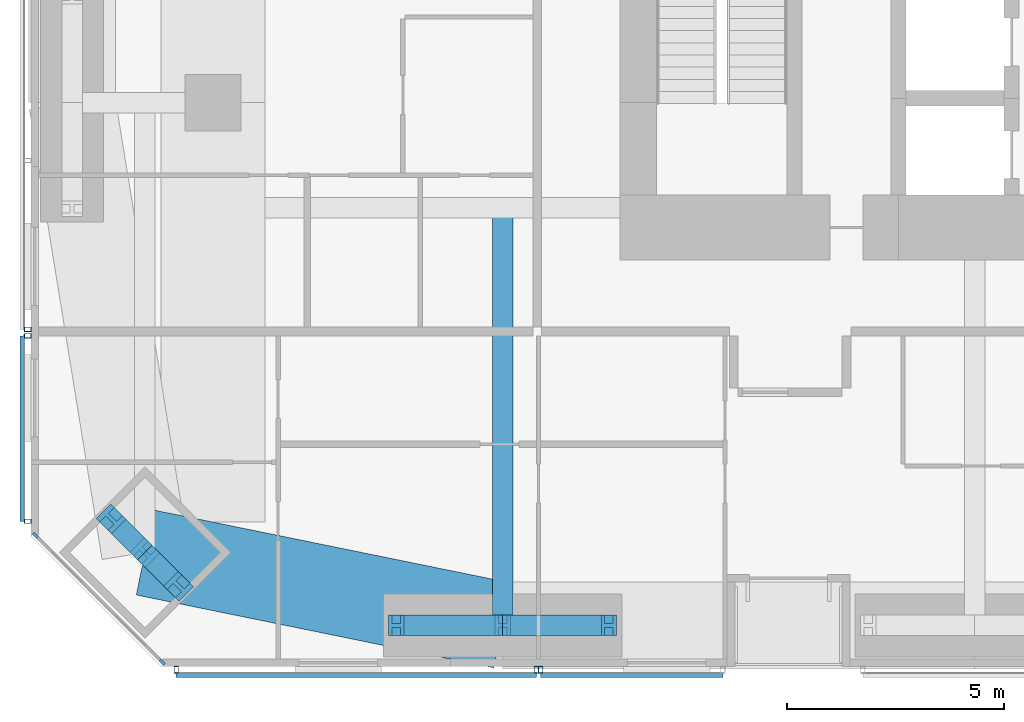
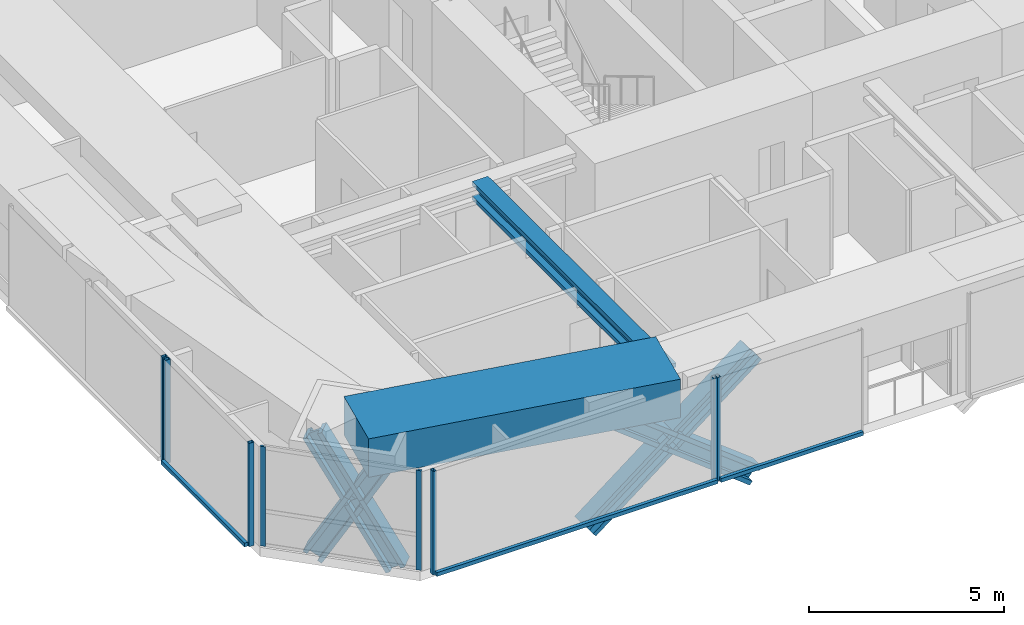
# One storey, part 2 of 23: 19 members, 2 beams, 5 elements without a shape of their own.
"""IFC4 building model written with IfcOpenShell, lengths in metres."""

from ifc_helpers import new_model, si_unit, direction, frame, origin, origin_2d, place, context, subcontext, project, spatial, rectangle, hollow_rectangle, i_section, extrude, material, material_profile, profile_set, type_object, element, aggregate, save


model = new_model("IFC4")

# Units and contexts
model_context = context("Model", 3, precision=1e-05, world=origin(), true_north=direction((0.0, 1.0)))
body_context = subcontext(model_context, "Body", "Model", "MODEL_VIEW")
ifc_project = project(units=[si_unit("LENGTHUNIT", "METRE"), si_unit("AREAUNIT", "SQUARE_METRE"), si_unit("VOLUMEUNIT", "CUBIC_METRE"), si_unit("PLANEANGLEUNIT", "RADIAN"), si_unit("MASSUNIT", "GRAM", prefix="KILO")], contexts=[model_context])

# Site, building, storey
site_placement = place(None, origin())
site = spatial("IfcSite", under=ifc_project, at=site_placement, CompositionType="ELEMENT")
building_placement = place(site_placement, origin())
building = spatial("IfcBuilding", under=site, at=building_placement, Name="Jalousie Tower", CompositionType="ELEMENT")
storey_placement = place(building_placement, frame((0.0, 0.0, 84.75)))
storey = spatial("IfcBuildingStorey", under=building, at=storey_placement, Name="L22", CompositionType="ELEMENT", Elevation=84.75)

# Curtain wall, members
ifc_material_1 = material(Name="Aluminium curtain wall", Category="aluminium")
curtain_wall_type_1 = type_object("IfcCurtainWallType", Name="CORNER WINDOW WALL", PredefinedType="USERDEFINED", material=ifc_material_1)
curtain_wall_1_placement = place(storey_placement, origin())
curtain_wall_1 = element("IfcCurtainWall", 1, at=curtain_wall_1_placement, inside=storey, type_object=curtain_wall_type_1, Name="Corner Window Wall L22 8", ObjectType="CORNER WINDOW WALL", PredefinedType="USERDEFINED")
ifc_material_2 = material(Name="Aluminium mullion", Category="aluminium")
ifc_material_profile_1 = material_profile(ifc_material_2, rectangle(XDim=0.06005859375, YDim=0.14990234375, at=origin_2d()), Name="MULLION 60x150")
ifc_profile_set_1 = profile_set([ifc_material_profile_1], Name="Aluminium mullion")
member_type_1 = type_object("IfcMemberType", Name="CORNER WINDOW WALL MULLION", PredefinedType="MULLION", material=ifc_profile_set_1)
member_1_placement = place(storey_placement, frame((6.108642578125, 3.030029296875, 0.0), z_axis=(0.0, 0.0, 1.0), x_axis=(0.707106781187, 0.707106781187, 0.0)))
member_1 = element("IfcMember", 2, at=member_1_placement, type_object=member_type_1, Name="CW-C mullion 1", PredefinedType="MULLION", context=body_context, shape_type="SweptSolid", body=[
    extrude(rectangle(XDim=0.06005859375, YDim=0.14990234375, at=origin_2d()), origin(), (0.0, 0.0, 1.0), 3.110107421875),
])
member_2_placement = place(storey_placement, frame((9.030029296875, 0.108642578125, 0.0), z_axis=(0.0, 0.0, 1.0), x_axis=(0.707106781187, 0.707106781187, 0.0)))
member_2 = element("IfcMember", 3, at=member_2_placement, type_object=member_type_1, Name="CW-C mullion 2", PredefinedType="MULLION", context=body_context, shape_type="SweptSolid", body=[
    extrude(rectangle(XDim=0.06005859375, YDim=0.14990234375, at=origin_2d()), origin(), (0.0, 0.0, 1.0), 3.110107421875),
])
aggregate(curtain_wall_1, [member_1, member_2])

# Beam
ifc_material_3 = material(Name="Steel ASTM A992 Grade 50", Category="steel")
ifc_material_profile_2 = material_profile(ifc_material_3, i_section(OverallWidth=0.472412109375, OverallDepth=0.5791015625, WebThickness=0.094970703125, FlangeThickness=0.1298828125, at=origin_2d()), Name="W14X808")
ifc_profile_set_2 = profile_set([ifc_material_profile_2], Name="Steel ASTM A992 Grade 50")
beam_type_1 = type_object("IfcBeamType", Name="LEAN COLLECTOR W14X808", PredefinedType="BEAM", material=ifc_profile_set_2)
beam_1_placement = place(storey_placement, frame((16.875, 0.949951171875, 2.8203125), z_axis=(0.0, 1.0, 0.0), x_axis=(-1.0, 0.0, 0.0)))
element("IfcBeam", 4, at=beam_1_placement, inside=storey, type_object=beam_type_1, Name="Lean collector under L23", PredefinedType="BEAM", context=body_context, shape_type="SweptSolid", body=[
    extrude(i_section(OverallWidth=0.472412109375, OverallDepth=0.5791015625, WebThickness=0.094970703125, FlangeThickness=0.1298828125, at=origin_2d()), origin(), (0.0, 0.0, 1.0), 9.625),
])

# Members
ifc_material_4 = material(Name="Steel ASTM A992 Grade 50", Category="steel")
ifc_material_profile_3 = material_profile(ifc_material_4, i_section(OverallWidth=0.472412109375, OverallDepth=0.5791015625, WebThickness=0.094970703125, FlangeThickness=0.1298828125, at=origin_2d()), Name="W14X808")
ifc_profile_set_3 = profile_set([ifc_material_profile_3], Name="Steel ASTM A992 Grade 50")
member_type_2 = type_object("IfcMemberType", Name="PERIMETER BRACE W14X808", PredefinedType="BRACE", material=ifc_profile_set_3)
member_3_placement = place(storey_placement, frame((7.853515625, 3.4091796875, -1.050048828125), z_axis=(0.354270659018, -0.354270659018, 0.865438963947), x_axis=(0.707106781187, 0.707106781187, 0.0)))
element("IfcMember", 5, at=member_3_placement, inside=storey, type_object=member_type_2, Name="Perimeter brace 01 L22 part 1", PredefinedType="BRACE", context=body_context, shape_type="SweptSolid", body=[
    extrude(i_section(OverallWidth=0.472412109375, OverallDepth=0.5791015625, WebThickness=0.094970703125, FlangeThickness=0.1298828125, at=origin_2d()), origin(), (0.0, 0.0, 1.0), 2.195556640625),
])
member_4_placement = place(storey_placement, frame((8.63134765625, 2.63134765625, 0.85009765625), z_axis=(0.354304754421, -0.354304754421, 0.865411047993), x_axis=(0.707106781187, 0.707106781187, 0.0)))
element("IfcMember", 6, at=member_4_placement, inside=storey, type_object=member_type_2, Name="Perimeter brace 01 L22 part 2", PredefinedType="BRACE", context=body_context, shape_type="SweptSolid", body=[
    extrude(i_section(OverallWidth=0.472412109375, OverallDepth=0.5791015625, WebThickness=0.094970703125, FlangeThickness=0.1298828125, at=origin_2d()), origin(), (0.0, 0.0, 1.0), 2.1953125),
])
member_5_placement = place(storey_placement, frame((9.4091796875, 1.853515625, -1.050048828125), z_axis=(-0.354270659018, 0.354270659018, 0.865438963947), x_axis=(-0.707106781187, -0.707106781187, 0.0)))
element("IfcMember", 7, at=member_5_placement, inside=storey, type_object=member_type_2, Name="Perimeter brace 01 L22 part 3", PredefinedType="BRACE", context=body_context, shape_type="SweptSolid", body=[
    extrude(i_section(OverallWidth=0.472412109375, OverallDepth=0.5791015625, WebThickness=0.094970703125, FlangeThickness=0.1298828125, at=origin_2d()), origin(), (0.0, 0.0, 1.0), 2.195556640625),
])
member_6_placement = place(storey_placement, frame((8.63134765625, 2.63134765625, 0.85009765625), z_axis=(-0.354304754421, 0.354304754421, 0.865411047993), x_axis=(-0.707106781187, -0.707106781187, 0.0)))
element("IfcMember", 8, at=member_6_placement, inside=storey, type_object=member_type_2, Name="Perimeter brace 01 L22 part 4", PredefinedType="BRACE", context=body_context, shape_type="SweptSolid", body=[
    extrude(i_section(OverallWidth=0.472412109375, OverallDepth=0.5791015625, WebThickness=0.094970703125, FlangeThickness=0.1298828125, at=origin_2d()), origin(), (0.0, 0.0, 1.0), 2.1953125),
])
for number, where, z_axis, x_axis, name in (
    (9, (14.425048828125, 0.949951171875, -1.050048828125), (0.790191006211, 0.0, 0.612860647866), (0.0, 1.0, 0.0), "Perimeter brace 02 L22 part 1"),
    (10, (16.875, 0.949951171875, 0.85009765625), (0.790229140184, 0.0, 0.612811476723), (0.0, 1.0, 0.0), "Perimeter brace 02 L22 part 2"),
    (11, (19.324951171875, 0.949951171875, -1.050048828125), (-0.790191006211, 0.0, 0.612860647866), (0.0, -1.0, 0.0), "Perimeter brace 02 L22 part 3"),
    (12, (16.875, 0.949951171875, 0.85009765625), (-0.790229140184, 0.0, 0.612811476723), (0.0, -1.0, 0.0), "Perimeter brace 02 L22 part 4"),
):
    element("IfcMember", number, at=place(storey_placement, frame(where, z_axis=z_axis, x_axis=x_axis)), inside=storey, type_object=member_type_2, Name=name, PredefinedType="BRACE", context=body_context, shape_type="SweptSolid", body=[
        extrude(i_section(OverallWidth=0.472412109375, OverallDepth=0.5791015625, WebThickness=0.094970703125, FlangeThickness=0.1298828125, at=origin_2d()), origin(), (0.0, 0.0, 1.0), 3.100341796875),
    ])

# Beam
ifc_material_5 = material(Name="Concrete f'c 40 MPa", Category="concrete")
ifc_material_profile_4 = material_profile(ifc_material_5, rectangle(XDim=2.0, YDim=1.199951171875, at=origin_2d()), Name="RC 2000x1200")
ifc_profile_set_4 = profile_set([ifc_material_profile_4], Name="Concrete f'c 40 MPa")
beam_type_2 = type_object("IfcBeamType", Name="RC BEAM 2000x1200", PredefinedType="BEAM", material=ifc_profile_set_4)
beam_2_placement = place(storey_placement, frame((8.63134765625, 2.63134765625, 2.75), z_axis=(0.97982690954, -0.199848010602, 0.0), x_axis=(0.199848010602, 0.97982690954, 0.0)))
element("IfcBeam", 13, at=beam_2_placement, inside=storey, type_object=beam_type_2, Name="Edge band beam 01-02 under L23", PredefinedType="BEAM", context=body_context, shape_type="SweptSolid", body=[
    extrude(rectangle(XDim=2.0, YDim=1.199951171875, at=origin_2d()), origin(), (0.0, 0.0, 1.0), 8.413330078125),
])

# Curtain wall, members
ifc_material_6 = material(Name="Perforated aluminium sheet", Category="aluminium")
curtain_wall_type_2 = type_object("IfcCurtainWallType", Name="SOLAR SCREEN SS-1", PredefinedType="USERDEFINED", material=ifc_material_6)
curtain_wall_2_placement = place(storey_placement, origin())
curtain_wall_2 = element("IfcCurtainWall", 14, at=curtain_wall_2_placement, inside=storey, type_object=curtain_wall_type_2, Name="Solar screen L22", ObjectType="SOLAR SCREEN SS-1", PredefinedType="USERDEFINED")
ifc_material_7 = material(Name="Steel ASTM A500 Grade C", Category="steel")
ifc_material_profile_5 = material_profile(ifc_material_7, hollow_rectangle(XDim=0.1015625, YDim=0.15234375, WallThickness=0.00634765625, at=origin_2d()), Name="HSS6X4X1/4")
ifc_profile_set_5 = profile_set([ifc_material_profile_5], Name="Steel ASTM A500 Grade C")
member_type_3 = type_object("IfcMemberType", Name="SOLAR SCREEN SS-1 MULLION", PredefinedType="MULLION", material=ifc_profile_set_5)
member_7_placement = place(storey_placement, frame((9.351318359375, -0.0712890625, -0.1201171875), z_axis=(0.0, 0.0, 1.0), x_axis=(1.0, 0.0, 0.0)))
member_7 = element("IfcMember", 15, at=member_7_placement, type_object=member_type_3, Name="SS1 post 1", PredefinedType="MULLION", context=body_context, shape_type="SweptSolid", body=[
    extrude(hollow_rectangle(XDim=0.1015625, YDim=0.15234375, WallThickness=0.00634765625, at=origin_2d()), origin(), (0.0, 0.0, 1.0), 3.230224609375),
])
member_8_placement = place(storey_placement, frame((17.64990234375, -0.0712890625, -0.1201171875), z_axis=(0.0, 0.0, 1.0), x_axis=(1.0, 0.0, 0.0)))
member_8 = element("IfcMember", 16, at=member_8_placement, type_object=member_type_3, Name="SS1 post 2", PredefinedType="MULLION", context=body_context, shape_type="SweptSolid", body=[
    extrude(hollow_rectangle(XDim=0.1015625, YDim=0.15234375, WallThickness=0.00634765625, at=origin_2d()), origin(), (0.0, 0.0, 1.0), 3.230224609375),
])

# Curtain wall, member
curtain_wall_3_placement = place(storey_placement, origin())
curtain_wall_3 = element("IfcCurtainWall", 17, at=curtain_wall_3_placement, inside=storey, type_object=curtain_wall_type_2, Name="Solar screen L22", ObjectType="SOLAR SCREEN SS-1", PredefinedType="USERDEFINED")
member_9_placement = place(storey_placement, frame((17.75, -0.0712890625, -0.1201171875), z_axis=(0.0, 0.0, 1.0), x_axis=(1.0, 0.0, 0.0)))
member_9 = element("IfcMember", 18, at=member_9_placement, type_object=member_type_3, Name="SS1 post 1", PredefinedType="MULLION", context=body_context, shape_type="SweptSolid", body=[
    extrude(hollow_rectangle(XDim=0.1015625, YDim=0.15234375, WallThickness=0.00634765625, at=origin_2d()), origin(), (0.0, 0.0, 1.0), 3.230224609375),
])

curtain_wall_4_placement = place(storey_placement, origin())
curtain_wall_4 = element("IfcCurtainWall", 19, at=curtain_wall_4_placement, inside=storey, type_object=curtain_wall_type_2, Name="Solar screen L22", ObjectType="SOLAR SCREEN SS-1", PredefinedType="USERDEFINED")
member_10_placement = place(storey_placement, frame((5.9287109375, 7.77490234375, -0.1201171875), z_axis=(0.0, 0.0, 1.0), x_axis=(0.0, -1.0, 0.0)))
member_10 = element("IfcMember", 20, at=member_10_placement, type_object=member_type_3, Name="SS1 post 3", PredefinedType="MULLION", context=body_context, shape_type="SweptSolid", body=[
    extrude(hollow_rectangle(XDim=0.1015625, YDim=0.15234375, WallThickness=0.00634765625, at=origin_2d()), origin(), (0.0, 0.0, 1.0), 3.230224609375),
])
aggregate(curtain_wall_4, [member_10])

# Curtain wall, members
curtain_wall_5_placement = place(storey_placement, origin())
curtain_wall_5 = element("IfcCurtainWall", 21, at=curtain_wall_5_placement, inside=storey, type_object=curtain_wall_type_2, Name="Solar screen L22", ObjectType="SOLAR SCREEN SS-1", PredefinedType="USERDEFINED")
member_11_placement = place(storey_placement, frame((5.9287109375, 7.625, -0.1201171875), z_axis=(0.0, 0.0, 1.0), x_axis=(0.0, -1.0, 0.0)))
member_11 = element("IfcMember", 22, at=member_11_placement, type_object=member_type_3, Name="SS1 post 1", PredefinedType="MULLION", context=body_context, shape_type="SweptSolid", body=[
    extrude(hollow_rectangle(XDim=0.1015625, YDim=0.15234375, WallThickness=0.00634765625, at=origin_2d()), origin(), (0.0, 0.0, 1.0), 3.230224609375),
])
member_12_placement = place(storey_placement, frame((5.9287109375, 3.351318359375, -0.1201171875), z_axis=(0.0, 0.0, 1.0), x_axis=(0.0, -1.0, 0.0)))
member_12 = element("IfcMember", 23, at=member_12_placement, type_object=member_type_3, Name="SS1 post 2", PredefinedType="MULLION", context=body_context, shape_type="SweptSolid", body=[
    extrude(hollow_rectangle(XDim=0.1015625, YDim=0.15234375, WallThickness=0.00634765625, at=origin_2d()), origin(), (0.0, 0.0, 1.0), 3.230224609375),
])

# Member
ifc_material_8 = material(Name="Extruded aluminium screen rail", Category="aluminium")
ifc_material_profile_6 = material_profile(ifc_material_8, rectangle(XDim=0.1015625, YDim=0.1201171875, at=origin_2d()), Name="RAIL 102x120")
ifc_profile_set_6 = profile_set([ifc_material_profile_6], Name="Extruded aluminium screen rail")
member_type_4 = type_object("IfcMemberType", Name="SOLAR SCREEN SS-1 TRANSOM", PredefinedType="USERDEFINED", material=ifc_profile_set_6)
member_13_placement = place(storey_placement, frame((9.351318359375, -0.1982421875, -0.06005859375), z_axis=(1.0, 0.0, 0.0), x_axis=(0.0, 1.0, 0.0)))
member_13 = element("IfcMember", 24, at=member_13_placement, type_object=member_type_4, Name="SS1 rail", ObjectType="TRANSOM", PredefinedType="USERDEFINED", context=body_context, shape_type="SweptSolid", body=[
    extrude(rectangle(XDim=0.1015625, YDim=0.1201171875, at=origin_2d()), origin(), (0.0, 0.0, 1.0), 8.298583984375),
])

aggregate(curtain_wall_2, [member_7, member_8, member_13])

member_14_placement = place(storey_placement, frame((17.75, -0.1982421875, -0.06005859375), z_axis=(1.0, 0.0, 0.0), x_axis=(0.0, 1.0, 0.0)))
member_14 = element("IfcMember", 25, at=member_14_placement, type_object=member_type_4, Name="SS1 rail", ObjectType="TRANSOM", PredefinedType="USERDEFINED", context=body_context, shape_type="SweptSolid", body=[
    extrude(rectangle(XDim=0.1015625, YDim=0.1201171875, at=origin_2d()), origin(), (0.0, 0.0, 1.0), 4.199951171875),
])

aggregate(curtain_wall_3, [member_9, member_14])

member_15_placement = place(storey_placement, frame((5.8017578125, 7.625, -0.06005859375), z_axis=(0.0, -1.0, 0.0), x_axis=(1.0, 0.0, 0.0)))
member_15 = element("IfcMember", 26, at=member_15_placement, type_object=member_type_4, Name="SS1 rail", ObjectType="TRANSOM", PredefinedType="USERDEFINED", context=body_context, shape_type="SweptSolid", body=[
    extrude(rectangle(XDim=0.1015625, YDim=0.1201171875, at=origin_2d()), origin(), (0.0, 0.0, 1.0), 4.273681640625),
])

aggregate(curtain_wall_5, [member_11, member_12, member_15])

save(model, "model.ifc")
